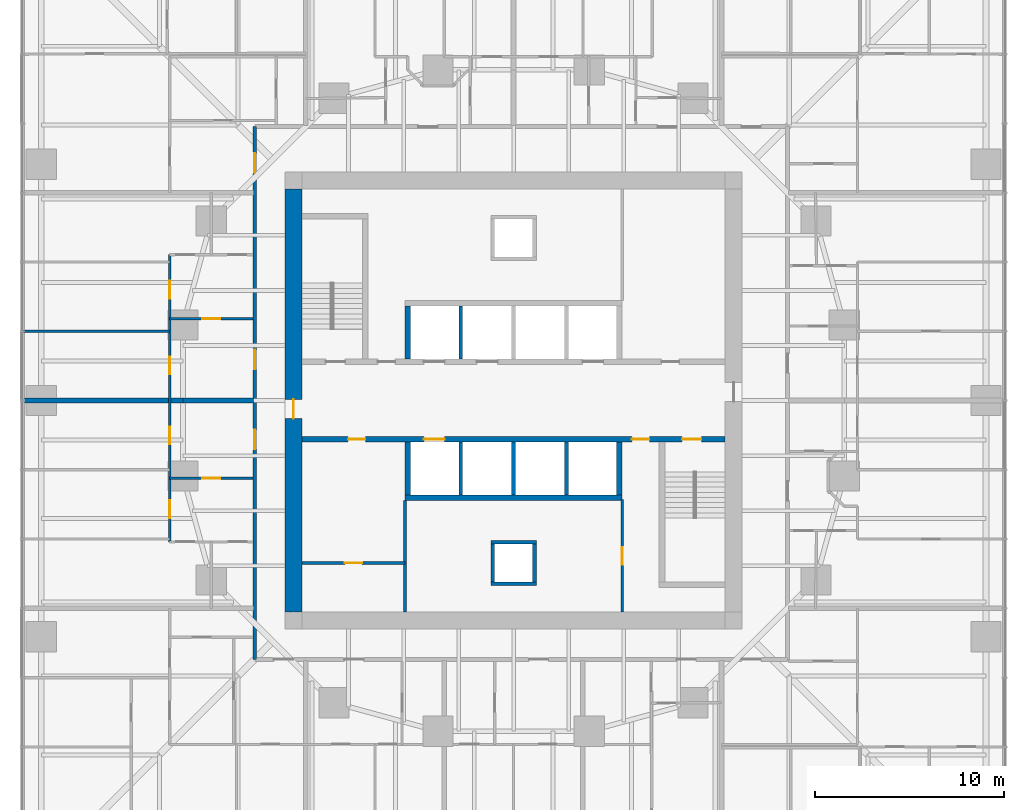
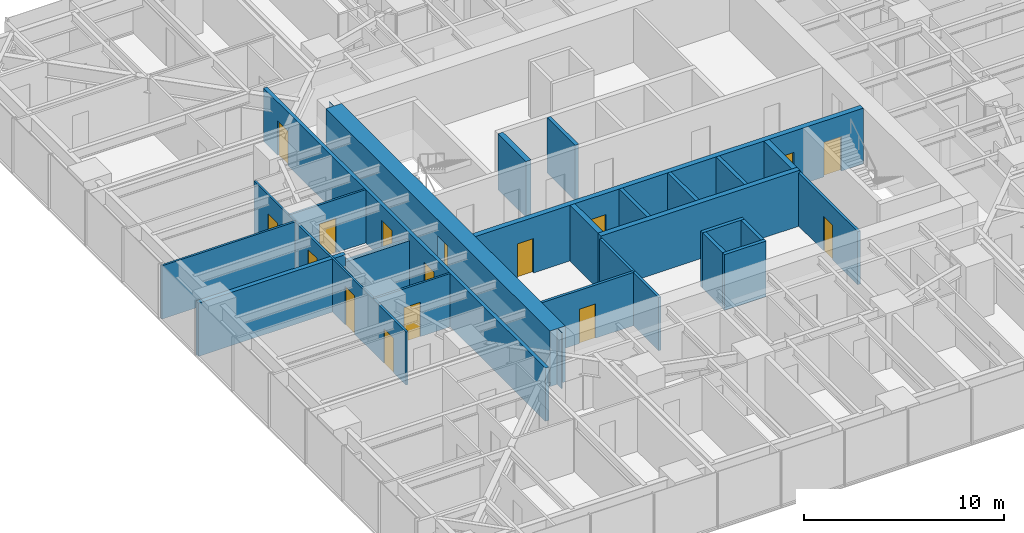
# One storey, part 9 of 16: 24 walls, 16 doors, 16 openings.
"""IFC4 building model written with IfcOpenShell, lengths in metres."""

from ifc_helpers import new_model, si_unit, direction, frame, frame_2d, origin, place, context, subcontext, project, spatial, polyline, rectangle, outline, extrude, material, layer, layer_set, type_object, element, fill, save


model = new_model("IFC4")

# Units and contexts
model_context = context("Model", 3, precision=1e-05, world=origin(), true_north=direction((0.0, 1.0)))
body_context = subcontext(model_context, "Body", "Model", "MODEL_VIEW")
ifc_project = project(units=[si_unit("LENGTHUNIT", "METRE"), si_unit("AREAUNIT", "SQUARE_METRE"), si_unit("VOLUMEUNIT", "CUBIC_METRE"), si_unit("PLANEANGLEUNIT", "RADIAN"), si_unit("MASSUNIT", "GRAM", prefix="KILO")], contexts=[model_context])

# Site, building, storey
site_placement = place(None, origin())
site = spatial("IfcSite", under=ifc_project, at=site_placement, CompositionType="ELEMENT")
building_placement = place(site_placement, origin())
building = spatial("IfcBuilding", under=site, at=building_placement, Name="Torsade Residences", CompositionType="ELEMENT")
storey_placement = place(building_placement, frame((0.0, 0.0, 35.39990234375)))
storey = spatial("IfcBuildingStorey", under=building, at=storey_placement, Name="L09", CompositionType="ELEMENT", Elevation=35.39990234375)

# Wall, openings, doors
ifc_material_1 = material(Name="Concrete 80 MPa", Category="concrete")
ifc_layer_1 = layer(ifc_material_1, 0.300048828125)
ifc_layer_set_1 = layer_set([ifc_layer_1], Name="Concrete 80 MPa")
wall_type_1 = type_object("IfcWallType", Name="CORE INTERNAL WALL 300", PredefinedType="SHEAR", material=ifc_layer_set_1)
wall_1_placement = place(storey_placement, frame((51.199951171875, 27.949951171875, 0.0), z_axis=(0.0, 0.0, 1.0), x_axis=(-1.0, 0.0, 0.0)))
wall_1 = element("IfcWall", 1, at=wall_1_placement, inside=storey, type_object=wall_type_1, Name="Core wall LS L09", PredefinedType="SHEAR", context=body_context, shape_type="SweptSolid", body=[
    extrude(rectangle(XDim=22.39990234375, YDim=0.300048828125, at=frame_2d((11.199951171875, 0.0))), origin(), (0.0, 0.0, 1.0), 3.400146484375),
])
opening_1_placement = place(wall_1_placement, frame((19.0400390625, 0.0, 0.0)))
opening_1 = element("IfcOpeningElement", 2, at=opening_1_placement, cuts=wall_1, Name="Opening D06", PredefinedType="OPENING", context=body_context, shape_type="SweptSolid", body=[
    extrude(rectangle(XDim=0.919921875, YDim=2.10009765625, at=frame_2d((0.4599609375, 1.050048828125))), frame((0.0, 0.159912109375, 0.0), z_axis=(0.0, -1.0, 0.0), x_axis=(1.0, 0.0, 0.0)), (0.0, 0.0, 1.0), 0.320068359375),
])
opening_2_placement = place(wall_1_placement, frame((1.264892578125, 0.0, 0.0)))
opening_2 = element("IfcOpeningElement", 3, at=opening_2_placement, cuts=wall_1, Name="Opening D03", PredefinedType="OPENING", context=body_context, shape_type="SweptSolid", body=[
    extrude(rectangle(XDim=1.02001953125, YDim=2.10009765625, at=frame_2d((0.510009765625, 1.050048828125))), frame((0.0, 0.159912109375, 0.0), z_axis=(0.0, -1.0, 0.0), x_axis=(1.0, 0.0, 0.0)), (0.0, 0.0, 1.0), 0.320068359375),
])
opening_3_placement = place(wall_1_placement, frame((4.014892578125, 0.0, 0.0)))
opening_3 = element("IfcOpeningElement", 4, at=opening_3_placement, cuts=wall_1, Name="Opening D06", PredefinedType="OPENING", context=body_context, shape_type="SweptSolid", body=[
    extrude(rectangle(XDim=0.919921875, YDim=2.10009765625, at=frame_2d((0.4599609375, 1.050048828125))), frame((0.0, 0.159912109375, 0.0), z_axis=(0.0, -1.0, 0.0), x_axis=(1.0, 0.0, 0.0)), (0.0, 0.0, 1.0), 0.320068359375),
])
opening_4_placement = place(wall_1_placement, frame((14.85009765625, 0.0, 0.0)))
opening_4 = element("IfcOpeningElement", 5, at=opening_4_placement, cuts=wall_1, Name="Opening LD", PredefinedType="OPENING", context=body_context, shape_type="SweptSolid", body=[
    extrude(rectangle(XDim=1.10009765625, YDim=2.10009765625, at=frame_2d((0.550048828125, 1.050048828125))), frame((0.0, 0.159912109375, 0.0), z_axis=(0.0, -1.0, 0.0), x_axis=(1.0, 0.0, 0.0)), (0.0, 0.0, 1.0), 0.320068359375),
])
ifc_material_2 = material(Name="Steel-framed fire door", Category="steel")
door_type_1 = type_object("IfcDoorType", Name="FIRE DOOR 1020", OperationType="NOTDEFINED", PredefinedType="DOOR", material=ifc_material_2)
door_1_placement = place(opening_2_placement, origin())
door_1 = element("IfcDoor", 6, at=door_1_placement, inside=storey, type_object=door_type_1, Name="Exit door to fire-isolated stair ST2 L09", OperationType="SINGLE_SWING_RIGHT", OverallHeight=2.10009765625, OverallWidth=1.02001953125, PredefinedType="DOOR", context=body_context, shape_type="SweptSolid", body=[
    extrude(rectangle(XDim=1.02001953125, YDim=2.10009765625, at=frame_2d((0.510009765625, 1.050048828125))), frame((0.0, 0.02490234375, 0.0), z_axis=(0.0, -1.0, 0.0), x_axis=(1.0, 0.0, 0.0)), (0.0, 0.0, 1.0), 0.050048828125),
])
fill(opening_2, door_1)
ifc_material_3 = material(Name="Steel-framed fire door", Category="steel")
door_type_2 = type_object("IfcDoorType", Name="FIRE DOOR 920", OperationType="NOTDEFINED", PredefinedType="DOOR", material=ifc_material_3)
door_2_placement = place(opening_1_placement, origin())
door_2 = element("IfcDoor", 7, at=door_2_placement, inside=storey, type_object=door_type_2, Name="Door Lift lobby to Cleaner store", OperationType="SINGLE_SWING_LEFT", OverallHeight=2.10009765625, OverallWidth=0.919921875, PredefinedType="DOOR", context=body_context, shape_type="SweptSolid", body=[
    extrude(rectangle(XDim=0.919921875, YDim=2.10009765625, at=frame_2d((0.4599609375, 1.050048828125))), frame((0.0, 0.02490234375, 0.0), z_axis=(0.0, -1.0, 0.0), x_axis=(1.0, 0.0, 0.0)), (0.0, 0.0, 1.0), 0.050048828125),
])
fill(opening_1, door_2)
door_3_placement = place(opening_3_placement, origin())
door_3 = element("IfcDoor", 8, at=door_3_placement, inside=storey, type_object=door_type_2, Name="Door Lift lobby to Communications equipment store", OperationType="SINGLE_SWING_RIGHT", OverallHeight=2.10009765625, OverallWidth=0.919921875, PredefinedType="DOOR", context=body_context, shape_type="SweptSolid", body=[
    extrude(rectangle(XDim=0.919921875, YDim=2.10009765625, at=frame_2d((0.4599609375, 1.050048828125))), frame((0.0, 0.02490234375, 0.0), z_axis=(0.0, -1.0, 0.0), x_axis=(1.0, 0.0, 0.0)), (0.0, 0.0, 1.0), 0.050048828125),
])
fill(opening_3, door_3)
ifc_material_4 = material(Name="Stainless steel lift landing door", Category="steel")
door_type_3 = type_object("IfcDoorType", Name="LIFT LANDING DOOR 1100", OperationType="SLIDING_TO_LEFT", PredefinedType="DOOR", material=ifc_material_4)
door_4_placement = place(opening_4_placement, origin())
door_4 = element("IfcDoor", 9, at=door_4_placement, inside=storey, type_object=door_type_3, Name="Lift FL2 landing door L09", OperationType="SLIDING_TO_LEFT", OverallHeight=2.10009765625, OverallWidth=1.10009765625, PredefinedType="DOOR", context=body_context, shape_type="SweptSolid", body=[
    extrude(rectangle(XDim=1.10009765625, YDim=2.10009765625, at=frame_2d((0.550048828125, 1.050048828125))), frame((0.0, 0.02490234375, 0.0), z_axis=(0.0, -1.0, 0.0), x_axis=(1.0, 0.0, 0.0)), (0.0, 0.0, 1.0), 0.050048828125),
])
fill(opening_4, door_4)

# Walls
wall_2_placement = place(storey_placement, frame((45.75, 24.85009765625, 0.0), z_axis=(0.0, 0.0, 1.0), x_axis=(-1.0, 0.0, 0.0)))
element("IfcWall", 10, at=wall_2_placement, inside=storey, type_object=wall_type_1, Name="Core wall BS L09", PredefinedType="SHEAR", context=body_context, shape_type="SweptSolid", body=[
    extrude(rectangle(XDim=11.5, YDim=0.300048828125, at=frame_2d((5.75, 0.0))), origin(), (0.0, 0.0, 1.0), 3.400146484375),
])
for number, where, z_axis, x_axis, name in (
    (11, (34.39990234375, 32.199951171875, 0.0), (0.0, 0.0, 1.0), (0.0, 1.0, 0.0), "Core wall DN0 L09"),
    (12, (45.60009765625, 27.800048828125, 0.0), (0.0, 0.0, 1.0), (0.0, -1.0, 0.0), "Core wall DS0 L09"),
    (13, (34.39990234375, 27.800048828125, 0.0), (0.0, 0.0, 1.0), (0.0, -1.0, 0.0), "Core wall DS4 L09"),
):
    element("IfcWall", number, at=place(storey_placement, frame(where, z_axis=z_axis, x_axis=x_axis)), inside=storey, type_object=wall_type_1, Name=name, PredefinedType="SHEAR", context=body_context, shape_type="SweptSolid", body=[
        extrude(rectangle(XDim=2.800048828125, YDim=0.300048828125, at=frame_2d((1.39990234375, 0.0))), origin(), (0.0, 0.0, 1.0), 3.400146484375),
    ])

# Wall, opening, door
ifc_material_5 = material(Name="Concrete 80 MPa", Category="concrete")
ifc_layer_2 = layer(ifc_material_5, 0.89990234375)
ifc_layer_set_2 = layer_set([ifc_layer_2], Name="Concrete 80 MPa")
wall_type_2 = type_object("IfcWallType", Name="CORE WALL 900", PredefinedType="SHEAR", material=ifc_layer_set_2)
wall_3_placement = place(storey_placement, frame((28.35009765625, 41.199951171875, 0.0), z_axis=(0.0, 0.0, 1.0), x_axis=(0.0, -1.0, 0.0)))
wall_3 = element("IfcWall", 14, at=wall_3_placement, inside=storey, type_object=wall_type_2, Name="Core wall W L09", PredefinedType="SHEAR", context=body_context, shape_type="SweptSolid", body=[
    extrude(outline(polyline([(0.0, -0.449951171875), (22.39990234375, -0.449951171875), (22.39990234375, -0.02490234375), (22.849853515625, -0.02490234375), (22.849853515625, 0.02490234375), (22.39990234375, 0.02490234375), (22.39990234375, 0.449951171875), (0.0, 0.449951171875), (0.0, 0.02490234375), (-0.449951171875, 0.02490234375), (-0.449951171875, -0.02490234375), (0.0, -0.02490234375), (0.0, -0.449951171875)])), origin(), (0.0, 0.0, 1.0), 3.400146484375),
])
opening_5_placement = place(wall_3_placement, frame((11.139892578125, 0.0, 0.0)))
opening_5 = element("IfcOpeningElement", 15, at=opening_5_placement, cuts=wall_3, Name="Opening D04", PredefinedType="OPENING", context=body_context, shape_type="SweptSolid", body=[
    extrude(rectangle(XDim=1.02001953125, YDim=2.39990234375, at=frame_2d((0.510009765625, 1.199951171875))), frame((0.0, 0.4599609375, 0.0), z_axis=(0.0, -1.0, 0.0), x_axis=(1.0, 0.0, 0.0)), (0.0, 0.0, 1.0), 0.919921875),
])
ifc_material_6 = material(Name="Steel-framed fire door", Category="steel")
door_type_4 = type_object("IfcDoorType", Name="LOBBY SMOKE DOOR 1020x2400", OperationType="NOTDEFINED", PredefinedType="DOOR", material=ifc_material_6)
door_5_placement = place(opening_5_placement, origin())
door_5 = element("IfcDoor", 16, at=door_5_placement, inside=storey, type_object=door_type_4, Name="Lift lobby door W L09", OperationType="SINGLE_SWING_RIGHT", OverallHeight=2.39990234375, OverallWidth=1.02001953125, PredefinedType="DOOR", context=body_context, shape_type="SweptSolid", body=[
    extrude(rectangle(XDim=1.02001953125, YDim=2.39990234375, at=frame_2d((0.510009765625, 1.199951171875))), frame((0.0, 0.02490234375, 0.0), z_axis=(0.0, -1.0, 0.0), x_axis=(1.0, 0.0, 0.0)), (0.0, 0.0, 1.0), 0.050048828125),
])
fill(opening_5, door_5)

# Wall, openings, doors
ifc_material_7 = material(Name="Plasterboard on steel stud", Category="steel")
ifc_layer_3 = layer(ifc_material_7, 0.199951171875)
ifc_layer_set_3 = layer_set([ifc_layer_3], Name="Plasterboard on steel stud")
wall_type_3 = type_object("IfcWallType", Name="CORRIDOR WALL 200", PredefinedType="PARTITIONING", material=ifc_layer_set_3)
wall_4_placement = place(storey_placement, frame((26.300048828125, 44.5, 0.0), z_axis=(0.0, 0.0, 1.0), x_axis=(0.0, -1.0, 0.0)))
wall_4 = element("IfcWall", 17, at=wall_4_placement, inside=storey, type_object=wall_type_3, Name="Corridor wall L09", PredefinedType="PARTITIONING", context=body_context, shape_type="SweptSolid", body=[
    extrude(rectangle(XDim=28.199951171875, YDim=0.199951171875, at=frame_2d((14.10009765625, 0.0))), origin(), (0.0, 0.0, 1.0), 3.25),
])
opening_6_placement = place(wall_4_placement, frame((11.825927734375, 0.0, 0.0)))
opening_6 = element("IfcOpeningElement", 18, at=opening_6_placement, cuts=wall_4, Name="Opening D01", PredefinedType="OPENING", context=body_context, shape_type="SweptSolid", body=[
    extrude(rectangle(XDim=1.02001953125, YDim=2.340087890625, at=frame_2d((0.510009765625, 1.169921875))), frame((0.0, 0.10986328125, 0.0), z_axis=(0.0, -1.0, 0.0), x_axis=(1.0, 0.0, 0.0)), (0.0, 0.0, 1.0), 0.219970703125),
])
opening_7_placement = place(wall_4_placement, frame((16.04833984375, 0.0, 0.0)))
opening_7 = element("IfcOpeningElement", 19, at=opening_7_placement, cuts=wall_4, Name="Opening D01", PredefinedType="OPENING", context=body_context, shape_type="SweptSolid", body=[
    extrude(rectangle(XDim=1.02001953125, YDim=2.340087890625, at=frame_2d((0.510009765625, 1.169921875))), frame((0.0, 0.10986328125, 0.0), z_axis=(0.0, -1.0, 0.0), x_axis=(1.0, 0.0, 0.0)), (0.0, 0.0, 1.0), 0.219970703125),
])
opening_8_placement = place(wall_4_placement, frame((1.414794921875, 0.0, 0.0)))
opening_8 = element("IfcOpeningElement", 20, at=opening_8_placement, cuts=wall_4, Name="Opening D01L", PredefinedType="OPENING", context=body_context, shape_type="SweptSolid", body=[
    extrude(rectangle(XDim=1.02001953125, YDim=2.10009765625, at=frame_2d((0.510009765625, 1.050048828125))), frame((0.0, 0.10986328125, 0.0), z_axis=(0.0, -1.0, 0.0), x_axis=(1.0, 0.0, 0.0)), (0.0, 0.0, 1.0), 0.219970703125),
])
ifc_material_8 = material(Name="Solid-core timber fire door", Category="wood")
door_type_5 = type_object("IfcDoorType", Name="APARTMENT ENTRY DOOR 1020x2100", OperationType="NOTDEFINED", PredefinedType="DOOR", material=ifc_material_8)
door_6_placement = place(opening_8_placement, origin())
door_6 = element("IfcDoor", 21, at=door_6_placement, inside=storey, type_object=door_type_5, Name="Door Residential corridor to Kitchen and dining", OperationType="SINGLE_SWING_LEFT", OverallHeight=2.10009765625, OverallWidth=1.02001953125, PredefinedType="DOOR", context=body_context, shape_type="SweptSolid", body=[
    extrude(rectangle(XDim=1.02001953125, YDim=2.10009765625, at=frame_2d((0.510009765625, 1.050048828125))), frame((0.0, 0.02490234375, 0.0), z_axis=(0.0, -1.0, 0.0), x_axis=(1.0, 0.0, 0.0)), (0.0, 0.0, 1.0), 0.050048828125),
])
fill(opening_8, door_6)
ifc_material_9 = material(Name="Solid-core timber fire door", Category="wood")
door_type_6 = type_object("IfcDoorType", Name="APARTMENT ENTRY DOOR 1020x2340", OperationType="NOTDEFINED", PredefinedType="DOOR", material=ifc_material_9)
door_7_placement = place(opening_6_placement, origin())
door_7 = element("IfcDoor", 22, at=door_7_placement, inside=storey, type_object=door_type_6, Name="Door Residential corridor to Kitchen and dining", OperationType="SINGLE_SWING_LEFT", OverallHeight=2.340087890625, OverallWidth=1.02001953125, PredefinedType="DOOR", context=body_context, shape_type="SweptSolid", body=[
    extrude(rectangle(XDim=1.02001953125, YDim=2.340087890625, at=frame_2d((0.510009765625, 1.169921875))), frame((0.0, 0.02490234375, 0.0), z_axis=(0.0, -1.0, 0.0), x_axis=(1.0, 0.0, 0.0)), (0.0, 0.0, 1.0), 0.050048828125),
])
fill(opening_6, door_7)
door_8_placement = place(opening_7_placement, origin())
door_8 = element("IfcDoor", 23, at=door_8_placement, inside=storey, type_object=door_type_6, Name="Door Residential corridor to Kitchen and dining", OperationType="SINGLE_SWING_LEFT", OverallHeight=2.340087890625, OverallWidth=1.02001953125, PredefinedType="DOOR", context=body_context, shape_type="SweptSolid", body=[
    extrude(rectangle(XDim=1.02001953125, YDim=2.340087890625, at=frame_2d((0.510009765625, 1.169921875))), frame((0.0, 0.02490234375, 0.0), z_axis=(0.0, -1.0, 0.0), x_axis=(1.0, 0.0, 0.0)), (0.0, 0.0, 1.0), 0.050048828125),
])
fill(opening_7, door_8)

# Walls
ifc_material_10 = material(Name="Reinforced blockwork", Category="masonry")
ifc_layer_4 = layer(ifc_material_10, 0.199951171875)
ifc_layer_set_4 = layer_set([ifc_layer_4], Name="Reinforced blockwork")
wall_type_4 = type_object("IfcWallType", Name="LIFT SHAFT DIVIDING WALL 200", PredefinedType="SOLIDWALL", material=ifc_layer_set_4)
for number, where, z_axis, x_axis, name in (
    (24, (37.199951171875, 32.199951171875, 0.0), (0.0, 0.0, 1.0), (0.0, 1.0, 0.0), "Core wall DN1 L09"),
    (25, (42.800048828125, 27.800048828125, 0.0), (0.0, 0.0, 1.0), (0.0, -1.0, 0.0), "Core wall DS1 L09"),
    (26, (40.0, 27.800048828125, 0.0), (0.0, 0.0, 1.0), (0.0, -1.0, 0.0), "Core wall DS2 L09"),
    (27, (37.199951171875, 27.800048828125, 0.0), (0.0, 0.0, 1.0), (0.0, -1.0, 0.0), "Core wall DS3 L09"),
):
    element("IfcWall", number, at=place(storey_placement, frame(where, z_axis=z_axis, x_axis=x_axis)), inside=storey, type_object=wall_type_4, Name=name, PredefinedType="SOLIDWALL", context=body_context, shape_type="SweptSolid", body=[
        extrude(rectangle(XDim=2.800048828125, YDim=0.199951171875, at=frame_2d((1.39990234375, 0.0))), origin(), (0.0, 0.0, 1.0), 3.400146484375),
    ])

# Wall, opening, door
ifc_material_11 = material(Name="Plasterboard on steel stud", Category="steel")
ifc_layer_5 = layer(ifc_material_11, 0.1201171875)
ifc_layer_set_5 = layer_set([ifc_layer_5], Name="Plasterboard on steel stud")
wall_type_5 = type_object("IfcWallType", Name="PARTITION 120", PredefinedType="PARTITIONING", material=ifc_layer_set_5)
wall_5_placement = place(storey_placement, frame((26.199951171875, 25.883544921875, 0.0), z_axis=(0.0, 0.0, 1.0), x_axis=(-1.0, 0.0, 0.0)))
wall_5 = element("IfcWall", 28, at=wall_5_placement, inside=storey, type_object=wall_type_5, Name="Partition L09", PredefinedType="PARTITIONING", context=body_context, shape_type="SweptSolid", body=[
    extrude(rectangle(XDim=4.39990234375, YDim=0.1201171875, at=frame_2d((2.199951171875, 0.0))), origin(), (0.0, 0.0, 1.0), 3.25),
])
opening_9_placement = place(wall_5_placement, frame((1.719970703125, 0.0, 0.0)))
opening_9 = element("IfcOpeningElement", 29, at=opening_9_placement, cuts=wall_5, Name="Opening D05", PredefinedType="OPENING", context=body_context, shape_type="SweptSolid", body=[
    extrude(rectangle(XDim=0.9599609375, YDim=2.10009765625, at=frame_2d((0.47998046875, 1.050048828125))), frame((0.0, 0.070068359375, 0.0), z_axis=(0.0, -1.0, 0.0), x_axis=(1.0, 0.0, 0.0)), (0.0, 0.0, 1.0), 0.14013671875),
])
ifc_material_12 = material(Name="Hollow-core timber door in a steel cavity frame", Category="steel")
door_type_7 = type_object("IfcDoorType", Name="BATHROOM CAVITY SLIDING DOOR 960", OperationType="SLIDING_TO_LEFT", PredefinedType="DOOR", material=ifc_material_12)
door_9_placement = place(opening_9_placement, origin())
door_9 = element("IfcDoor", 30, at=door_9_placement, inside=storey, type_object=door_type_7, Name="Door Kitchen and dining to Ensuite", OperationType="SLIDING_TO_LEFT", OverallHeight=2.10009765625, OverallWidth=0.9599609375, PredefinedType="DOOR", context=body_context, shape_type="SweptSolid", body=[
    extrude(rectangle(XDim=0.9599609375, YDim=2.10009765625, at=frame_2d((0.47998046875, 1.050048828125))), frame((0.0, 0.02490234375, 0.0), z_axis=(0.0, -1.0, 0.0), x_axis=(1.0, 0.0, 0.0)), (0.0, 0.0, 1.0), 0.050048828125),
])
fill(opening_9, door_9)

# Wall, openings, doors
wall_6_placement = place(storey_placement, frame((21.800048828125, 22.515380859375, 0.0), z_axis=(0.0, 0.0, 1.0), x_axis=(0.0, 1.0, 0.0)))
wall_6 = element("IfcWall", 31, at=wall_6_placement, inside=storey, type_object=wall_type_5, Name="Partition L09", PredefinedType="PARTITIONING", context=body_context, shape_type="SweptSolid", body=[
    extrude(rectangle(XDim=15.20654296875, YDim=0.1201171875, at=frame_2d((7.603271484375, 0.0))), origin(), (0.0, 0.0, 1.0), 3.25),
])
opening_10_placement = place(wall_6_placement, frame((8.883056640625, 0.0, 0.0)))
opening_10 = element("IfcOpeningElement", 32, at=opening_10_placement, cuts=wall_6, Name="Opening D02", PredefinedType="OPENING", context=body_context, shape_type="SweptSolid", body=[
    extrude(rectangle(XDim=0.919921875, YDim=2.340087890625, at=frame_2d((0.4599609375, 1.169921875))), frame((0.0, 0.070068359375, 0.0), z_axis=(0.0, -1.0, 0.0), x_axis=(1.0, 0.0, 0.0)), (0.0, 0.0, 1.0), 0.14013671875),
])
opening_11_placement = place(wall_6_placement, frame((5.166259765625, 0.0, 0.0)))
opening_11 = element("IfcOpeningElement", 33, at=opening_11_placement, cuts=wall_6, Name="Opening D02", PredefinedType="OPENING", context=body_context, shape_type="SweptSolid", body=[
    extrude(rectangle(XDim=0.919921875, YDim=2.340087890625, at=frame_2d((0.4599609375, 1.169921875))), frame((0.0, 0.070068359375, 0.0), z_axis=(0.0, -1.0, 0.0), x_axis=(1.0, 0.0, 0.0)), (0.0, 0.0, 1.0), 0.14013671875),
])
opening_12_placement = place(wall_6_placement, frame((12.8603515625, 0.0, 0.0)))
opening_12 = element("IfcOpeningElement", 34, at=opening_12_placement, cuts=wall_6, Name="Opening D05", PredefinedType="OPENING", context=body_context, shape_type="SweptSolid", body=[
    extrude(rectangle(XDim=0.9599609375, YDim=2.10009765625, at=frame_2d((0.47998046875, 1.050048828125))), frame((0.0, 0.070068359375, 0.0), z_axis=(0.0, -1.0, 0.0), x_axis=(1.0, 0.0, 0.0)), (0.0, 0.0, 1.0), 0.14013671875),
])
opening_13_placement = place(wall_6_placement, frame((1.254638671875, 0.0, 0.0)))
opening_13 = element("IfcOpeningElement", 35, at=opening_13_placement, cuts=wall_6, Name="Opening D05", PredefinedType="OPENING", context=body_context, shape_type="SweptSolid", body=[
    extrude(rectangle(XDim=0.9599609375, YDim=2.10009765625, at=frame_2d((0.47998046875, 1.050048828125))), frame((0.0, 0.070068359375, 0.0), z_axis=(0.0, -1.0, 0.0), x_axis=(1.0, 0.0, 0.0)), (0.0, 0.0, 1.0), 0.14013671875),
])
door_10_placement = place(opening_12_placement, origin())
door_10 = element("IfcDoor", 36, at=door_10_placement, inside=storey, type_object=door_type_7, Name="Door Bathroom to Bedroom 2", OperationType="SLIDING_TO_LEFT", OverallHeight=2.10009765625, OverallWidth=0.9599609375, PredefinedType="DOOR", context=body_context, shape_type="SweptSolid", body=[
    extrude(rectangle(XDim=0.9599609375, YDim=2.10009765625, at=frame_2d((0.47998046875, 1.050048828125))), frame((0.0, 0.02490234375, 0.0), z_axis=(0.0, -1.0, 0.0), x_axis=(1.0, 0.0, 0.0)), (0.0, 0.0, 1.0), 0.050048828125),
])
fill(opening_12, door_10)
door_11_placement = place(opening_13_placement, origin())
door_11 = element("IfcDoor", 37, at=door_11_placement, inside=storey, type_object=door_type_7, Name="Door Ensuite to Bedroom 2", OperationType="SLIDING_TO_LEFT", OverallHeight=2.10009765625, OverallWidth=0.9599609375, PredefinedType="DOOR", context=body_context, shape_type="SweptSolid", body=[
    extrude(rectangle(XDim=0.9599609375, YDim=2.10009765625, at=frame_2d((0.47998046875, 1.050048828125))), frame((0.0, 0.02490234375, 0.0), z_axis=(0.0, -1.0, 0.0), x_axis=(1.0, 0.0, 0.0)), (0.0, 0.0, 1.0), 0.050048828125),
])
fill(opening_13, door_11)
ifc_material_13 = material(Name="Hollow-core timber door", Category="wood")
door_type_8 = type_object("IfcDoorType", Name="INTERNAL DOOR 920x2340", OperationType="NOTDEFINED", PredefinedType="DOOR", material=ifc_material_13)
door_12_placement = place(opening_10_placement, origin())
door_12 = element("IfcDoor", 38, at=door_12_placement, inside=storey, type_object=door_type_8, Name="Door Kitchen and dining to Bedroom 1", OperationType="SINGLE_SWING_LEFT", OverallHeight=2.340087890625, OverallWidth=0.919921875, PredefinedType="DOOR", context=body_context, shape_type="SweptSolid", body=[
    extrude(rectangle(XDim=0.919921875, YDim=2.340087890625, at=frame_2d((0.4599609375, 1.169921875))), frame((0.0, 0.02490234375, 0.0), z_axis=(0.0, -1.0, 0.0), x_axis=(1.0, 0.0, 0.0)), (0.0, 0.0, 1.0), 0.050048828125),
])
fill(opening_10, door_12)
door_13_placement = place(opening_11_placement, origin())
door_13 = element("IfcDoor", 39, at=door_13_placement, inside=storey, type_object=door_type_8, Name="Door Kitchen and dining to Living room", OperationType="SINGLE_SWING_RIGHT", OverallHeight=2.340087890625, OverallWidth=0.919921875, PredefinedType="DOOR", context=body_context, shape_type="SweptSolid", body=[
    extrude(rectangle(XDim=0.919921875, YDim=2.340087890625, at=frame_2d((0.4599609375, 1.169921875))), frame((0.0, 0.02490234375, 0.0), z_axis=(0.0, -1.0, 0.0), x_axis=(1.0, 0.0, 0.0)), (0.0, 0.0, 1.0), 0.050048828125),
])
fill(opening_11, door_13)

# Wall, opening, door
wall_7_placement = place(storey_placement, frame((21.800048828125, 34.328125, 0.0), z_axis=(0.0, 0.0, 1.0), x_axis=(1.0, 0.0, 0.0)))
wall_7 = element("IfcWall", 40, at=wall_7_placement, inside=storey, type_object=wall_type_5, Name="Partition L09", PredefinedType="PARTITIONING", context=body_context, shape_type="SweptSolid", body=[
    extrude(rectangle(XDim=4.39990234375, YDim=0.1201171875, at=frame_2d((2.199951171875, 0.0))), origin(), (0.0, 0.0, 1.0), 3.25),
])
opening_14_placement = place(wall_7_placement, frame((1.719970703125, 0.0, 0.0)))
opening_14 = element("IfcOpeningElement", 41, at=opening_14_placement, cuts=wall_7, Name="Opening D05", PredefinedType="OPENING", context=body_context, shape_type="SweptSolid", body=[
    extrude(rectangle(XDim=0.9599609375, YDim=2.10009765625, at=frame_2d((0.47998046875, 1.050048828125))), frame((0.0, 0.070068359375, 0.0), z_axis=(0.0, -1.0, 0.0), x_axis=(1.0, 0.0, 0.0)), (0.0, 0.0, 1.0), 0.14013671875),
])
door_14_placement = place(opening_14_placement, origin())
door_14 = element("IfcDoor", 42, at=door_14_placement, inside=storey, type_object=door_type_7, Name="Door Kitchen and dining to Bathroom", OperationType="SLIDING_TO_LEFT", OverallHeight=2.10009765625, OverallWidth=0.9599609375, PredefinedType="DOOR", context=body_context, shape_type="SweptSolid", body=[
    extrude(rectangle(XDim=0.9599609375, YDim=2.10009765625, at=frame_2d((0.47998046875, 1.050048828125))), frame((0.0, 0.02490234375, 0.0), z_axis=(0.0, -1.0, 0.0), x_axis=(1.0, 0.0, 0.0)), (0.0, 0.0, 1.0), 0.050048828125),
])
fill(opening_14, door_14)

# Walls
wall_8_placement = place(storey_placement, frame((14.0400390625, 33.666748046875, 0.0), z_axis=(0.0, 0.0, 1.0), x_axis=(1.0, 0.0, 0.0)))
element("IfcWall", 43, at=wall_8_placement, inside=storey, type_object=wall_type_5, Name="Partition L09", PredefinedType="PARTITIONING", context=body_context, shape_type="SweptSolid", body=[
    extrude(rectangle(XDim=7.760009765625, YDim=0.1201171875, at=frame_2d((3.8798828125, 0.0))), origin(), (0.0, 0.0, 1.0), 3.25),
])
ifc_material_14 = material(Name="Masonry-lined stud party wall", Category="masonry")
ifc_layer_6 = layer(ifc_material_14, 0.25)
ifc_layer_set_6 = layer_set([ifc_layer_6], Name="Masonry-lined stud party wall")
wall_type_6 = type_object("IfcWallType", Name="PARTY WALL 250", PredefinedType="PARTITIONING", material=ifc_layer_set_6)
wall_9_placement = place(storey_placement, frame((14.0, 30.0, 0.0), z_axis=(0.0, 0.0, 1.0), x_axis=(1.0, 0.0, 0.0)))
element("IfcWall", 44, at=wall_9_placement, inside=storey, type_object=wall_type_6, Name="Party wall L09", PredefinedType="PARTITIONING", context=body_context, shape_type="SweptSolid", body=[
    extrude(rectangle(XDim=8.5, YDim=0.25, at=frame_2d((4.25, 0.0))), origin(), (0.0, 0.0, 1.0), 3.25),
])
wall_10_placement = place(storey_placement, frame((22.5, 30.0, 0.0), z_axis=(0.0, 0.0, 1.0), x_axis=(1.0, 0.0, 0.0)))
element("IfcWall", 45, at=wall_10_placement, inside=storey, type_object=wall_type_6, Name="Party wall L09", PredefinedType="PARTITIONING", context=body_context, shape_type="SweptSolid", body=[
    extrude(rectangle(XDim=3.739990234375, YDim=0.25, at=frame_2d((1.8701171875, 0.0))), origin(), (0.0, 0.0, 1.0), 2.796142578125),
])
ifc_material_15 = material(Name="Reinforced blockwork", Category="masonry")
ifc_layer_7 = layer(ifc_material_15, 0.199951171875)
ifc_layer_set_7 = layer_set([ifc_layer_7], Name="Reinforced blockwork")
wall_type_7 = type_object("IfcWallType", Name="RISER SHAFT WALL 200", PredefinedType="SOLIDWALL", material=ifc_layer_set_7)
for number, where, z_axis, x_axis, name in (
    (46, (38.89990234375, 22.39990234375, 0.0), (0.0, 0.0, 1.0), (0.0, -1.0, 0.0), "Core wall RS2a L09"),
    (47, (41.10009765625, 22.39990234375, 0.0), (0.0, 0.0, 1.0), (0.0, -1.0, 0.0), "Core wall RS2b L09"),
):
    element("IfcWall", number, at=place(storey_placement, frame(where, z_axis=z_axis, x_axis=x_axis)), inside=storey, type_object=wall_type_7, Name=name, PredefinedType="SOLIDWALL", context=body_context, shape_type="SweptSolid", body=[
        extrude(rectangle(XDim=2.0, YDim=0.199951171875, at=frame_2d((1.0, 0.0))), origin(), (0.0, 0.0, 1.0), 3.400146484375),
    ])
for number, where, z_axis, x_axis, name in (
    (48, (38.800048828125, 22.5, 0.0), (0.0, 0.0, 1.0), (1.0, 0.0, 0.0), "Core wall RS2c L09"),
    (49, (38.800048828125, 20.300048828125, 0.0), (0.0, 0.0, 1.0), (1.0, 0.0, 0.0), "Core wall RS2d L09"),
):
    element("IfcWall", number, at=place(storey_placement, frame(where, z_axis=z_axis, x_axis=x_axis)), inside=storey, type_object=wall_type_7, Name=name, PredefinedType="SOLIDWALL", context=body_context, shape_type="SweptSolid", body=[
        extrude(rectangle(XDim=2.39990234375, YDim=0.199951171875, at=frame_2d((1.199951171875, 0.0))), origin(), (0.0, 0.0, 1.0), 3.400146484375),
    ])

# Wall, opening, door
ifc_material_16 = material(Name="Reinforced blockwork", Category="masonry")
ifc_layer_8 = layer(ifc_material_16, 0.14990234375)
ifc_layer_set_8 = layer_set([ifc_layer_8], Name="Reinforced blockwork")
wall_type_8 = type_object("IfcWallType", Name="SERVICE ROOM WALL 150", PredefinedType="SOLIDWALL", material=ifc_layer_set_8)
wall_11_placement = place(storey_placement, frame((45.75, 18.800048828125, 0.0), z_axis=(0.0, 0.0, 1.0), x_axis=(0.0, 1.0, 0.0)))
wall_11 = element("IfcWall", 50, at=wall_11_placement, inside=storey, type_object=wall_type_8, Name="Service room wall L09", PredefinedType="SOLIDWALL", context=body_context, shape_type="SweptSolid", body=[
    extrude(rectangle(XDim=5.949951171875, YDim=0.14990234375, at=frame_2d((2.97509765625, 0.0))), origin(), (0.0, 0.0, 1.0), 3.25),
])
opening_15_placement = place(wall_11_placement, frame((2.514892578125, 0.0, 0.0)))
opening_15 = element("IfcOpeningElement", 51, at=opening_15_placement, cuts=wall_11, Name="Opening D06", PredefinedType="OPENING", context=body_context, shape_type="SweptSolid", body=[
    extrude(rectangle(XDim=0.919921875, YDim=2.10009765625, at=frame_2d((0.4599609375, 1.050048828125))), frame((0.0, 0.0849609375, 0.0), z_axis=(0.0, -1.0, 0.0), x_axis=(1.0, 0.0, 0.0)), (0.0, 0.0, 1.0), 0.169921875),
])
door_15_placement = place(opening_15_placement, origin())
door_15 = element("IfcDoor", 52, at=door_15_placement, inside=storey, type_object=door_type_2, Name="Door Communications equipment store to Communications riser room", OperationType="SINGLE_SWING_LEFT", OverallHeight=2.10009765625, OverallWidth=0.919921875, PredefinedType="DOOR", context=body_context, shape_type="SweptSolid", body=[
    extrude(rectangle(XDim=0.919921875, YDim=2.10009765625, at=frame_2d((0.4599609375, 1.050048828125))), frame((0.0, 0.02490234375, 0.0), z_axis=(0.0, -1.0, 0.0), x_axis=(1.0, 0.0, 0.0)), (0.0, 0.0, 1.0), 0.050048828125),
])
fill(opening_15, door_15)

# Wall
wall_12_placement = place(storey_placement, frame((34.25, 18.800048828125, 0.0), z_axis=(0.0, 0.0, 1.0), x_axis=(0.0, 1.0, 0.0)))
element("IfcWall", 53, at=wall_12_placement, inside=storey, type_object=wall_type_8, Name="Service room wall L09", PredefinedType="SOLIDWALL", context=body_context, shape_type="SweptSolid", body=[
    extrude(rectangle(XDim=5.89990234375, YDim=0.14990234375, at=frame_2d((2.949951171875, 0.0))), origin(), (0.0, 0.0, 1.0), 3.25),
])

# Wall, opening, door
wall_13_placement = place(storey_placement, frame((34.25, 21.39990234375, 0.0), z_axis=(0.0, 0.0, 1.0), x_axis=(-1.0, 0.0, 0.0)))
wall_13 = element("IfcWall", 54, at=wall_13_placement, inside=storey, type_object=wall_type_8, Name="Service room wall L09", PredefinedType="SOLIDWALL", context=body_context, shape_type="SweptSolid", body=[
    extrude(rectangle(XDim=5.449951171875, YDim=0.14990234375, at=frame_2d((2.72509765625, 0.0))), origin(), (0.0, 0.0, 1.0), 3.25),
])
opening_16_placement = place(wall_13_placement, frame((2.264892578125, 0.0, 0.0)))
opening_16 = element("IfcOpeningElement", 55, at=opening_16_placement, cuts=wall_13, Name="Opening D06", PredefinedType="OPENING", context=body_context, shape_type="SweptSolid", body=[
    extrude(rectangle(XDim=0.919921875, YDim=2.10009765625, at=frame_2d((0.4599609375, 1.050048828125))), frame((0.0, 0.0849609375, 0.0), z_axis=(0.0, -1.0, 0.0), x_axis=(1.0, 0.0, 0.0)), (0.0, 0.0, 1.0), 0.169921875),
])
door_16_placement = place(opening_16_placement, origin())
door_16 = element("IfcDoor", 56, at=door_16_placement, inside=storey, type_object=door_type_2, Name="Door Cleaner store to Sprinkler valve room", OperationType="SINGLE_SWING_LEFT", OverallHeight=2.10009765625, OverallWidth=0.919921875, PredefinedType="DOOR", context=body_context, shape_type="SweptSolid", body=[
    extrude(rectangle(XDim=0.919921875, YDim=2.10009765625, at=frame_2d((0.4599609375, 1.050048828125))), frame((0.0, 0.02490234375, 0.0), z_axis=(0.0, -1.0, 0.0), x_axis=(1.0, 0.0, 0.0)), (0.0, 0.0, 1.0), 0.050048828125),
])
fill(opening_16, door_16)

save(model, "model.ifc")
